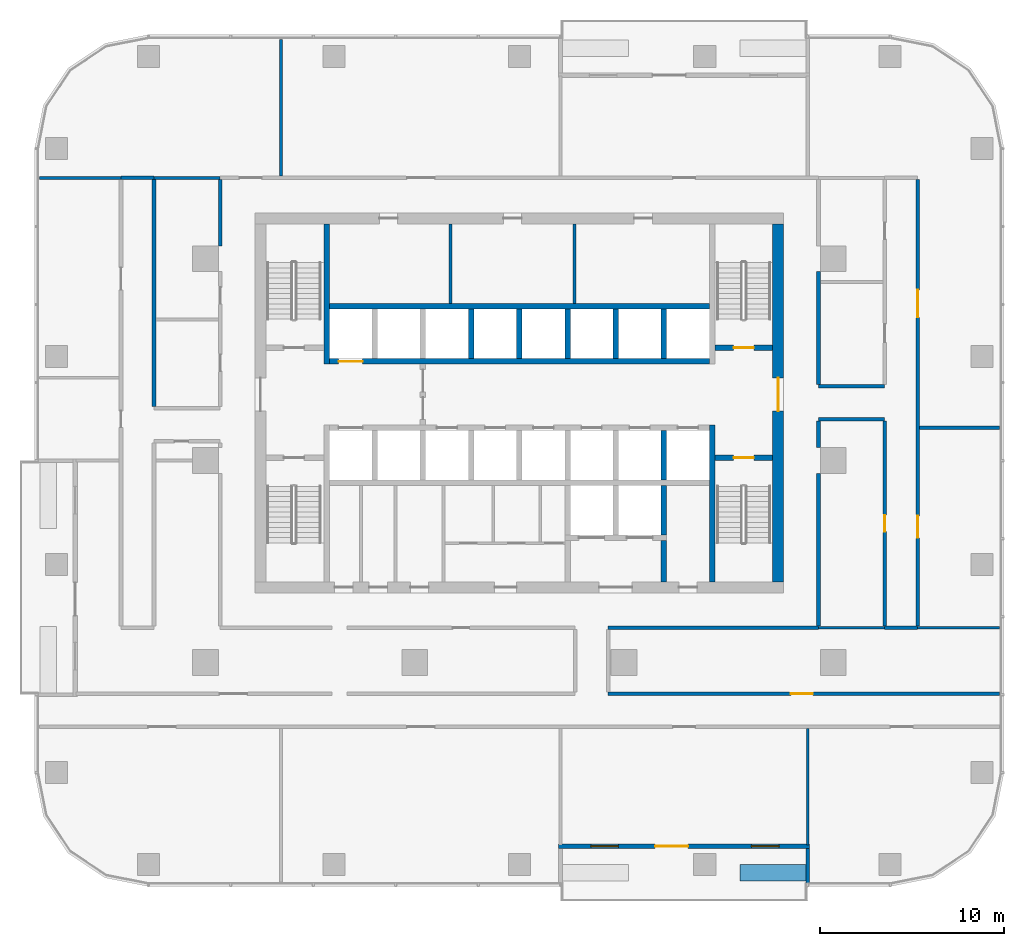
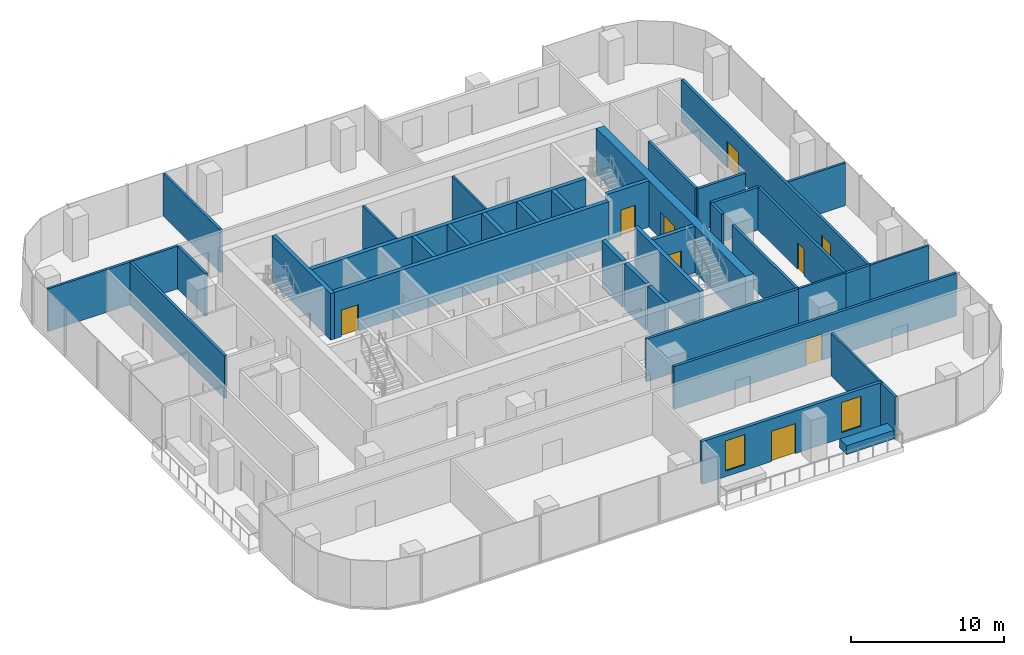
# One storey, part 9 of 14: 40 walls, 9 doors, 2 windows, 11 openings.
"""IFC4 building model written with IfcOpenShell, lengths in metres."""

from ifc_helpers import new_model, si_unit, direction, frame, frame_2d, origin, place, context, subcontext, project, spatial, rectangle, extrude, material, layer, layer_set, type_object, element, fill, save


model = new_model("IFC4")

# Units and contexts
model_context = context("Model", 3, precision=1e-05, world=origin(), true_north=direction((0.0, 1.0)))
body_context = subcontext(model_context, "Body", "Model", "MODEL_VIEW")
ifc_project = project(units=[si_unit("LENGTHUNIT", "METRE"), si_unit("AREAUNIT", "SQUARE_METRE"), si_unit("VOLUMEUNIT", "CUBIC_METRE"), si_unit("PLANEANGLEUNIT", "RADIAN"), si_unit("MASSUNIT", "GRAM", prefix="KILO")], contexts=[model_context])

# Site, building, storey
site_placement = place(None, origin())
site = spatial("IfcSite", under=ifc_project, at=site_placement, CompositionType="ELEMENT")
building_placement = place(site_placement, origin())
building = spatial("IfcBuilding", under=site, at=building_placement, Name="Mopane Tessera Tower", CompositionType="ELEMENT")
storey_placement = place(building_placement, frame((0.0, 0.0, 201.0)))
storey = spatial("IfcBuildingStorey", under=building, at=storey_placement, Name="L42", CompositionType="ELEMENT", Elevation=201.0)

# Walls
ifc_material_1 = material(Name="Fire-rated gypsum board partition")
ifc_layer_1 = layer(ifc_material_1, 0.14990234375)
ifc_layer_set_1 = layer_set([ifc_layer_1], Name="Fire-rated gypsum board partition")
wall_type_1 = type_object("IfcWallType", Name="Core room partition 150 mm", PredefinedType="PARTITIONING", material=ifc_layer_set_1)
for number, where, z_axis, x_axis, name in (
    (1, (-3.75, 8.550048828125, 0.0), (0.0, 0.0, 1.0), (0.0, 1.0, 0.0), "L42 Room partition"),
    (2, (3.0, 8.550048828125, 0.0), (0.0, 0.0, 1.0), (0.0, 1.0, 0.0), "L42 Room partition"),
):
    element("IfcWall", number, at=place(storey_placement, frame(where, z_axis=z_axis, x_axis=x_axis)), inside=storey, type_object=wall_type_1, Name=name, PredefinedType="PARTITIONING", context=body_context, shape_type="SweptSolid", body=[
        extrude(rectangle(XDim=4.349853515625, YDim=0.14990234375, at=frame_2d((2.1748046875, 0.0))), origin(), (0.0, 0.0, 1.0), 3.699951171875),
    ])

# Wall, opening, door
ifc_material_2 = material(Name="Concrete C70/85", Category="concrete")
ifc_layer_2 = layer(ifc_material_2, 0.60009765625)
ifc_layer_set_2 = layer_set([ifc_layer_2], Name="Concrete C70/85")
wall_type_2 = type_object("IfcWallType", Name="Core shear wall 600 mm", PredefinedType="SHEAR", material=ifc_layer_set_2)
wall_1_placement = place(storey_placement, frame((14.10009765625, -6.60009765625, 0.0), z_axis=(0.0, 0.0, 1.0), x_axis=(0.0, 1.0, 0.0)))
wall_1 = element("IfcWall", 3, at=wall_1_placement, inside=storey, type_object=wall_type_2, Name="L42 Core wall east", PredefinedType="SHEAR", context=body_context, shape_type="SweptSolid", body=[
    extrude(rectangle(XDim=19.5, YDim=0.60009765625, at=frame_2d((9.75, 0.0))), origin(), (0.0, 0.0, 1.0), 3.699951171875),
])
opening_1_placement = place(wall_1_placement, frame((9.300048828125, 0.0, 0.0)))
opening_1 = element("IfcOpeningElement", 4, at=opening_1_placement, cuts=wall_1, Name="Opening SD2", PredefinedType="OPENING", context=body_context, shape_type="SweptSolid", body=[
    extrude(rectangle(XDim=1.800048828125, YDim=2.10009765625, at=frame_2d((0.89990234375, 1.050048828125))), frame((0.0, 0.31201171875, 0.0), z_axis=(0.0, -1.0, 0.0), x_axis=(1.0, 0.0, 0.0)), (0.0, 0.0, 1.0), 0.6240234375),
])
ifc_material_3 = material(Name="Steel fire door", Category="steel")
door_type_1 = type_object("IfcDoorType", Name="Core entrance double door 1800 x 2100", OperationType="DOUBLE_DOOR_SINGLE_SWING", PredefinedType="DOOR", material=ifc_material_3)
door_1_placement = place(opening_1_placement, origin())
door_1 = element("IfcDoor", 5, at=door_1_placement, inside=storey, type_object=door_type_1, Name="L42 Core entrance door east", OperationType="DOUBLE_DOOR_SINGLE_SWING", OverallHeight=2.10009765625, OverallWidth=1.800048828125, PredefinedType="DOOR", context=body_context, shape_type="SweptSolid", body=[
    extrude(rectangle(XDim=1.800048828125, YDim=2.10009765625, at=frame_2d((0.89990234375, 1.050048828125))), frame((0.0, 0.02490234375, 0.0), z_axis=(0.0, -1.0, 0.0), x_axis=(1.0, 0.0, 0.0)), (0.0, 0.0, 1.0), 0.050048828125),
])
fill(opening_1, door_1)

# Walls
ifc_material_4 = material(Name="Concrete C60/75", Category="concrete")
ifc_layer_3 = layer(ifc_material_4, 0.300048828125)
ifc_layer_set_3 = layer_set([ifc_layer_3], Name="Concrete C60/75")
wall_type_3 = type_object("IfcWallType", Name="Core spine wall 300 mm", PredefinedType="SHEAR", material=ifc_layer_set_3)
wall_2_placement = place(storey_placement, frame((-10.5, 5.25, 0.0), z_axis=(0.0, 0.0, 1.0), x_axis=(0.0, 1.0, 0.0)))
element("IfcWall", 6, at=wall_2_placement, inside=storey, type_object=wall_type_3, Name="L42 Core spine wall", PredefinedType="SHEAR", context=body_context, shape_type="SweptSolid", body=[
    extrude(rectangle(XDim=7.64990234375, YDim=0.300048828125, at=frame_2d((3.824951171875, 0.0))), origin(), (0.0, 0.0, 1.0), 3.699951171875),
])
wall_3_placement = place(storey_placement, frame((10.5, -6.60009765625, 0.0), z_axis=(0.0, 0.0, 1.0), x_axis=(0.0, 1.0, 0.0)))
element("IfcWall", 7, at=wall_3_placement, inside=storey, type_object=wall_type_3, Name="L42 Core spine wall", PredefinedType="SHEAR", context=body_context, shape_type="SweptSolid", body=[
    extrude(rectangle(XDim=8.550048828125, YDim=0.300048828125, at=frame_2d((4.27490234375, 0.0))), origin(), (0.0, 0.0, 1.0), 3.699951171875),
])
ifc_material_5 = material(Name="Gypsum board on staggered steel studs, double layer each face, acoustic mineral wool infill", Category="steel")
ifc_layer_4 = layer(ifc_material_5, 0.175048828125)
ifc_layer_set_4 = layer_set([ifc_layer_4], Name="Gypsum board on staggered steel studs, double layer each face, acoustic mineral wool infill")
wall_type_4 = type_object("IfcWallType", Name="Gypsum board acoustic partition 175, rated EI 60", PredefinedType="PARTITIONING", material=ifc_layer_set_4)
wall_4_placement = place(storey_placement, frame((21.800048828125, 1.7900390625, 0.0), z_axis=(0.0, 0.0, 1.0), x_axis=(1.0, 0.0, 0.0)))
element("IfcWall", 8, at=wall_4_placement, inside=storey, type_object=wall_type_4, Name="Partition L42:014", PredefinedType="PARTITIONING", context=body_context, shape_type="SweptSolid", body=[
    extrude(rectangle(XDim=4.349853515625, YDim=0.175048828125, at=frame_2d((2.1748046875, 0.0))), origin(), (0.0, 0.0, 1.0), 3.39990234375),
])
wall_5_placement = place(storey_placement, frame((-26.14990234375, 15.39990234375, 0.0), z_axis=(0.0, 0.0, 1.0), x_axis=(1.0, 0.0, 0.0)))
element("IfcWall", 9, at=wall_5_placement, inside=storey, type_object=wall_type_4, Name="Partition L42:021", PredefinedType="PARTITIONING", context=body_context, shape_type="SweptSolid", body=[
    extrude(rectangle(XDim=4.449951171875, YDim=0.175048828125, at=frame_2d((2.22509765625, 0.0))), origin(), (0.0, 0.0, 1.0), 3.39990234375),
])
wall_6_placement = place(storey_placement, frame((-19.89990234375, 15.39990234375, 0.0), z_axis=(0.0, 0.0, 1.0), x_axis=(1.0, 0.0, 0.0)))
element("IfcWall", 10, at=wall_6_placement, inside=storey, type_object=wall_type_4, Name="Partition L42:022", PredefinedType="PARTITIONING", context=body_context, shape_type="SweptSolid", body=[
    extrude(rectangle(XDim=3.599853515625, YDim=0.175048828125, at=frame_2d((1.7998046875, 0.0))), origin(), (0.0, 0.0, 1.0), 3.39990234375),
])
wall_7_placement = place(storey_placement, frame((-12.97509765625, 15.5, 0.0), z_axis=(0.0, 0.0, 1.0), x_axis=(0.0, 1.0, 0.0)))
element("IfcWall", 11, at=wall_7_placement, inside=storey, type_object=wall_type_4, Name="Partition L42:035", PredefinedType="PARTITIONING", context=body_context, shape_type="SweptSolid", body=[
    extrude(rectangle(XDim=7.449951171875, YDim=0.175048828125, at=frame_2d((3.72509765625, 0.0))), origin(), (0.0, 0.0, 1.0), 3.39990234375),
])

# Wall, opening, door
ifc_material_6 = material(Name="Gypsum board on steel studs, two layers each face, mineral wool infill", Category="steel")
ifc_layer_5 = layer(ifc_material_6, 0.199951171875)
ifc_layer_set_5 = layer_set([ifc_layer_5], Name="Gypsum board on steel studs, two layers each face, mineral wool infill")
wall_type_5 = type_object("IfcWallType", Name="Gypsum board corridor wall 200, rated EI 60", PredefinedType="PARTITIONING", material=ifc_layer_set_5)
wall_8_placement = place(storey_placement, frame((4.840087890625, -12.699951171875, 0.0), z_axis=(0.0, 0.0, 1.0), x_axis=(1.0, 0.0, 0.0)))
wall_8 = element("IfcWall", 12, at=wall_8_placement, inside=storey, type_object=wall_type_5, Name="Partition L42:003", PredefinedType="PARTITIONING", context=body_context, shape_type="SweptSolid", body=[
    extrude(rectangle(XDim=21.309814453125, YDim=0.199951171875, at=frame_2d((10.65478515625, 0.0))), origin(), (0.0, 0.0, 1.0), 3.39990234375),
])
opening_2_placement = place(wall_8_placement, frame((9.955078125, 0.0, 0.0)))
opening_2 = element("IfcOpeningElement", 13, at=opening_2_placement, cuts=wall_8, Name="Opening L42-08", PredefinedType="OPENING", context=body_context, shape_type="SweptSolid", body=[
    extrude(rectangle(XDim=1.199951171875, YDim=2.10009765625, at=frame_2d((0.60009765625, 1.050048828125))), frame((0.0, 0.112060546875, 0.0), z_axis=(0.0, -1.0, 0.0), x_axis=(1.0, 0.0, 0.0)), (0.0, 0.0, 1.0), 0.223876953125),
])
ifc_material_7 = material(Name="Timber veneered steel-framed fire door", Category="steel")
door_type_2 = type_object("IfcDoorType", Name="Fire door FD60 1200 x 2100", OperationType="SINGLE_SWING_LEFT", PredefinedType="DOOR", material=ifc_material_7)
door_2_placement = place(opening_2_placement, origin())
door_2 = element("IfcDoor", 14, at=door_2_placement, inside=storey, type_object=door_type_2, Name="Door L42-08", ObjectType="D15A", OperationType="SINGLE_SWING_LEFT", OverallHeight=2.10009765625, OverallWidth=1.199951171875, PredefinedType="DOOR", context=body_context, shape_type="SweptSolid", body=[
    extrude(rectangle(XDim=1.199951171875, YDim=2.10009765625, at=frame_2d((0.60009765625, 1.050048828125))), frame((0.0, 0.02490234375, 0.0), z_axis=(0.0, -1.0, 0.0), x_axis=(1.0, 0.0, 0.0)), (0.0, 0.0, 1.0), 0.050048828125),
])
fill(opening_2, door_2)

# Walls
wall_9_placement = place(storey_placement, frame((4.840087890625, -9.10009765625, 0.0), z_axis=(0.0, 0.0, 1.0), x_axis=(1.0, 0.0, 0.0)))
element("IfcWall", 15, at=wall_9_placement, inside=storey, type_object=wall_type_5, Name="Partition L42:009", PredefinedType="PARTITIONING", context=body_context, shape_type="SweptSolid", body=[
    extrude(rectangle(XDim=11.4599609375, YDim=0.199951171875, at=frame_2d((5.72998046875, 0.0))), origin(), (0.0, 0.0, 1.0), 3.39990234375),
])
wall_10_placement = place(storey_placement, frame((19.89990234375, -9.10009765625, 0.0), z_axis=(0.0, 0.0, 1.0), x_axis=(1.0, 0.0, 0.0)))
element("IfcWall", 16, at=wall_10_placement, inside=storey, type_object=wall_type_5, Name="Partition L42:010", PredefinedType="PARTITIONING", context=body_context, shape_type="SweptSolid", body=[
    extrude(rectangle(XDim=1.800048828125, YDim=0.199951171875, at=frame_2d((0.89990234375, 0.0))), origin(), (0.0, 0.0, 1.0), 3.39990234375),
])
for number, where, z_axis, x_axis, name in (
    (17, (16.300048828125, 2.25, 0.0), (0.0, 0.0, 1.0), (1.0, 0.0, 0.0), "Partition L42:015"),
    (18, (16.300048828125, 4.050048828125, 0.0), (0.0, 0.0, 1.0), (1.0, 0.0, 0.0), "Partition L42:017"),
):
    element("IfcWall", number, at=place(storey_placement, frame(where, z_axis=z_axis, x_axis=x_axis)), inside=storey, type_object=wall_type_5, Name=name, PredefinedType="PARTITIONING", context=body_context, shape_type="SweptSolid", body=[
        extrude(rectangle(XDim=3.599853515625, YDim=0.199951171875, at=frame_2d((1.7998046875, 0.0))), origin(), (0.0, 0.0, 1.0), 3.39990234375),
    ])
wall_11_placement = place(storey_placement, frame((-21.699951171875, 15.39990234375, 0.0), z_axis=(0.0, 0.0, 1.0), x_axis=(1.0, 0.0, 0.0)))
element("IfcWall", 19, at=wall_11_placement, inside=storey, type_object=wall_type_5, Name="Partition L42:024", PredefinedType="PARTITIONING", context=body_context, shape_type="SweptSolid", body=[
    extrude(rectangle(XDim=1.800048828125, YDim=0.199951171875, at=frame_2d((0.89990234375, 0.0))), origin(), (0.0, 0.0, 1.0), 3.39990234375),
])
wall_12_placement = place(storey_placement, frame((-19.89990234375, 2.949951171875, 0.0), z_axis=(0.0, 0.0, 1.0), x_axis=(0.0, 1.0, 0.0)))
element("IfcWall", 20, at=wall_12_placement, inside=storey, type_object=wall_type_5, Name="Partition L42:029", PredefinedType="PARTITIONING", context=body_context, shape_type="SweptSolid", body=[
    extrude(rectangle(XDim=12.35009765625, YDim=0.199951171875, at=frame_2d((6.175048828125, 0.0))), origin(), (0.0, 0.0, 1.0), 3.39990234375),
])
wall_13_placement = place(storey_placement, frame((-16.300048828125, 11.699951171875, 0.0), z_axis=(0.0, 0.0, 1.0), x_axis=(0.0, 1.0, 0.0)))
element("IfcWall", 21, at=wall_13_placement, inside=storey, type_object=wall_type_5, Name="Partition L42:033", PredefinedType="PARTITIONING", context=body_context, shape_type="SweptSolid", body=[
    extrude(rectangle(XDim=3.60009765625, YDim=0.199951171875, at=frame_2d((1.800048828125, 0.0))), origin(), (0.0, 0.0, 1.0), 3.39990234375),
])
wall_14_placement = place(storey_placement, frame((16.300048828125, -9.0, 0.0), z_axis=(0.0, 0.0, 1.0), x_axis=(0.0, 1.0, 0.0)))
element("IfcWall", 22, at=wall_14_placement, inside=storey, type_object=wall_type_5, Name="Partition L42:042", PredefinedType="PARTITIONING", context=body_context, shape_type="SweptSolid", body=[
    extrude(rectangle(XDim=8.300048828125, YDim=0.199951171875, at=frame_2d((4.14990234375, 0.0))), origin(), (0.0, 0.0, 1.0), 3.39990234375),
])
wall_15_placement = place(storey_placement, frame((16.300048828125, 0.699951171875, 0.0), z_axis=(0.0, 0.0, 1.0), x_axis=(0.0, 1.0, 0.0)))
element("IfcWall", 23, at=wall_15_placement, inside=storey, type_object=wall_type_5, Name="Partition L42:043", PredefinedType="PARTITIONING", context=body_context, shape_type="SweptSolid", body=[
    extrude(rectangle(XDim=1.449951171875, YDim=0.199951171875, at=frame_2d((0.72509765625, 0.0))), origin(), (0.0, 0.0, 1.0), 3.39990234375),
])
wall_16_placement = place(storey_placement, frame((16.300048828125, 4.14990234375, 0.0), z_axis=(0.0, 0.0, 1.0), x_axis=(0.0, 1.0, 0.0)))
element("IfcWall", 24, at=wall_16_placement, inside=storey, type_object=wall_type_5, Name="Partition L42:044", PredefinedType="PARTITIONING", context=body_context, shape_type="SweptSolid", body=[
    extrude(rectangle(XDim=6.150146484375, YDim=0.199951171875, at=frame_2d((3.0751953125, 0.0))), origin(), (0.0, 0.0, 1.0), 3.39990234375),
])

# Wall, opening, door
wall_17_placement = place(storey_placement, frame((19.89990234375, -9.0, 0.0), z_axis=(0.0, 0.0, 1.0), x_axis=(0.0, 1.0, 0.0)))
wall_17 = element("IfcWall", 25, at=wall_17_placement, inside=storey, type_object=wall_type_5, Name="Partition L42:046", PredefinedType="PARTITIONING", context=body_context, shape_type="SweptSolid", body=[
    extrude(rectangle(XDim=11.14990234375, YDim=0.199951171875, at=frame_2d((5.574951171875, 0.0))), origin(), (0.0, 0.0, 1.0), 3.39990234375),
])
opening_3_placement = place(wall_17_placement, frame((5.125, 0.0, 0.0)))
opening_3 = element("IfcOpeningElement", 26, at=opening_3_placement, cuts=wall_17, Name="Opening L42-06", PredefinedType="OPENING", context=body_context, shape_type="SweptSolid", body=[
    extrude(rectangle(XDim=0.89990234375, YDim=2.10009765625, at=frame_2d((0.449951171875, 1.050048828125))), frame((0.0, 0.112060546875, 0.0), z_axis=(0.0, -1.0, 0.0), x_axis=(1.0, 0.0, 0.0)), (0.0, 0.0, 1.0), 0.223876953125),
])
ifc_material_8 = material(Name="Timber veneered steel-framed fire door", Category="steel")
door_type_3 = type_object("IfcDoorType", Name="Fire door FD60 900 x 2100", OperationType="SINGLE_SWING_LEFT", PredefinedType="DOOR", material=ifc_material_8)
door_3_placement = place(opening_3_placement, origin())
door_3 = element("IfcDoor", 27, at=door_3_placement, inside=storey, type_object=door_type_3, Name="Door L42-06", ObjectType="D10A", OperationType="SINGLE_SWING_LEFT", OverallHeight=2.10009765625, OverallWidth=0.89990234375, PredefinedType="DOOR", context=body_context, shape_type="SweptSolid", body=[
    extrude(rectangle(XDim=0.89990234375, YDim=2.10009765625, at=frame_2d((0.449951171875, 1.050048828125))), frame((0.0, 0.02490234375, 0.0), z_axis=(0.0, -1.0, 0.0), x_axis=(1.0, 0.0, 0.0)), (0.0, 0.0, 1.0), 0.050048828125),
])
fill(opening_3, door_3)

# Wall, openings, doors
wall_18_placement = place(storey_placement, frame((21.699951171875, -9.0, 0.0), z_axis=(0.0, 0.0, 1.0), x_axis=(0.0, 1.0, 0.0)))
wall_18 = element("IfcWall", 28, at=wall_18_placement, inside=storey, type_object=wall_type_5, Name="Partition L42:048", PredefinedType="PARTITIONING", context=body_context, shape_type="SweptSolid", body=[
    extrude(rectangle(XDim=24.300048828125, YDim=0.199951171875, at=frame_2d((12.14990234375, 0.0))), origin(), (0.0, 0.0, 1.0), 3.39990234375),
])
opening_4_placement = place(wall_18_placement, frame((4.794921875, 0.0, 0.0)))
opening_4 = element("IfcOpeningElement", 29, at=opening_4_placement, cuts=wall_18, Name="Opening L42-14", PredefinedType="OPENING", context=body_context, shape_type="SweptSolid", body=[
    extrude(rectangle(XDim=1.199951171875, YDim=2.10009765625, at=frame_2d((0.60009765625, 1.050048828125))), frame((0.0, 0.112060546875, 0.0), z_axis=(0.0, -1.0, 0.0), x_axis=(1.0, 0.0, 0.0)), (0.0, 0.0, 1.0), 0.223876953125),
])
opening_5_placement = place(wall_18_placement, frame((16.794921875, 0.0, 0.0)))
opening_5 = element("IfcOpeningElement", 30, at=opening_5_placement, cuts=wall_18, Name="Opening L42-17", PredefinedType="OPENING", context=body_context, shape_type="SweptSolid", body=[
    extrude(rectangle(XDim=1.5, YDim=2.10009765625, at=frame_2d((0.75, 1.050048828125))), frame((0.0, 0.112060546875, 0.0), z_axis=(0.0, -1.0, 0.0), x_axis=(1.0, 0.0, 0.0)), (0.0, 0.0, 1.0), 0.223876953125),
])
door_4_placement = place(opening_4_placement, origin())
door_4 = element("IfcDoor", 31, at=door_4_placement, inside=storey, type_object=door_type_2, Name="Door L42-14", ObjectType="D15A", OperationType="SINGLE_SWING_RIGHT", OverallHeight=2.10009765625, OverallWidth=1.199951171875, PredefinedType="DOOR", context=body_context, shape_type="SweptSolid", body=[
    extrude(rectangle(XDim=1.199951171875, YDim=2.10009765625, at=frame_2d((0.60009765625, 1.050048828125))), frame((0.0, 0.02490234375, 0.0), z_axis=(0.0, -1.0, 0.0), x_axis=(1.0, 0.0, 0.0)), (0.0, 0.0, 1.0), 0.050048828125),
])
fill(opening_4, door_4)
ifc_material_9 = material(Name="Timber veneered steel-framed fire door", Category="steel")
door_type_4 = type_object("IfcDoorType", Name="Fire door pair FD60 1500 x 2100", OperationType="DOUBLE_DOOR_SINGLE_SWING", PredefinedType="DOOR", material=ifc_material_9)
door_5_placement = place(opening_5_placement, origin())
door_5 = element("IfcDoor", 32, at=door_5_placement, inside=storey, type_object=door_type_4, Name="Door L42-17", ObjectType="D17A", OperationType="DOUBLE_DOOR_SINGLE_SWING", OverallHeight=2.10009765625, OverallWidth=1.5, PredefinedType="DOOR", context=body_context, shape_type="SweptSolid", body=[
    extrude(rectangle(XDim=1.5, YDim=2.10009765625, at=frame_2d((0.75, 1.050048828125))), frame((0.0, 0.02490234375, 0.0), z_axis=(0.0, -1.0, 0.0), x_axis=(1.0, 0.0, 0.0)), (0.0, 0.0, 1.0), 0.050048828125),
])
fill(opening_5, door_5)

# Walls
ifc_material_10 = material(Name="Gypsum board on steel studs, mineral wool infill", Category="steel")
ifc_layer_6 = layer(ifc_material_10, 0.14990234375)
ifc_layer_set_6 = layer_set([ifc_layer_6], Name="Gypsum board on steel studs, mineral wool infill")
wall_type_6 = type_object("IfcWallType", Name="Gypsum board partition 150, rated EI 60", PredefinedType="PARTITIONING", material=ifc_layer_set_6)
wall_19_placement = place(storey_placement, frame((16.300048828125, -9.10009765625, 0.0), z_axis=(0.0, 0.0, 1.0), x_axis=(1.0, 0.0, 0.0)))
element("IfcWall", 33, at=wall_19_placement, inside=storey, type_object=wall_type_6, Name="Partition L42:004", PredefinedType="PARTITIONING", context=body_context, shape_type="SweptSolid", body=[
    extrude(rectangle(XDim=3.599853515625, YDim=0.14990234375, at=frame_2d((1.7998046875, 0.0))), origin(), (0.0, 0.0, 1.0), 3.39990234375),
])
wall_20_placement = place(storey_placement, frame((21.699951171875, -9.10009765625, 0.0), z_axis=(0.0, 0.0, 1.0), x_axis=(1.0, 0.0, 0.0)))
element("IfcWall", 34, at=wall_20_placement, inside=storey, type_object=wall_type_6, Name="Partition L42:005", PredefinedType="PARTITIONING", context=body_context, shape_type="SweptSolid", body=[
    extrude(rectangle(XDim=4.449951171875, YDim=0.14990234375, at=frame_2d((2.22509765625, 0.0))), origin(), (0.0, 0.0, 1.0), 3.39990234375),
])
wall_21_placement = place(storey_placement, frame((15.7099609375, -20.949951171875, 0.0), z_axis=(0.0, 0.0, 1.0), x_axis=(0.0, 1.0, 0.0)))
element("IfcWall", 35, at=wall_21_placement, inside=storey, type_object=wall_type_6, Name="Partition L42:040", PredefinedType="PARTITIONING", context=body_context, shape_type="SweptSolid", body=[
    extrude(rectangle(XDim=6.349853515625, YDim=0.14990234375, at=frame_2d((3.1748046875, 0.0))), origin(), (0.0, 0.0, 1.0), 3.39990234375),
])

# Wall, opening, door
ifc_material_11 = material(Name="Concrete C50/60", Category="concrete")
ifc_layer_7 = layer(ifc_material_11, 0.300048828125)
ifc_layer_set_7 = layer_set([ifc_layer_7], Name="Concrete C50/60")
wall_type_7 = type_object("IfcWallType", Name="Lift and stair shaft wall 300 mm", PredefinedType="SOLIDWALL", material=ifc_layer_set_7)
wall_22_placement = place(storey_placement, frame((10.64990234375, 0.14990234375, 0.0), z_axis=(0.0, 0.0, 1.0), x_axis=(1.0, 0.0, 0.0)))
wall_22 = element("IfcWall", 36, at=wall_22_placement, inside=storey, type_object=wall_type_7, Name="L42 Stair enclosure wall", PredefinedType="SOLIDWALL", context=body_context, shape_type="SweptSolid", body=[
    extrude(rectangle(XDim=3.150146484375, YDim=0.300048828125, at=frame_2d((1.5751953125, 0.0))), origin(), (0.0, 0.0, 1.0), 3.699951171875),
])
opening_6_placement = place(wall_22_placement, frame((1.02490234375, 0.0, 0.0)))
opening_6 = element("IfcOpeningElement", 37, at=opening_6_placement, cuts=wall_22, Name="Opening SD1", PredefinedType="OPENING", context=body_context, shape_type="SweptSolid", body=[
    extrude(rectangle(XDim=1.10009765625, YDim=2.10009765625, at=frame_2d((0.550048828125, 1.050048828125))), frame((0.0, 0.162109375, 0.0), z_axis=(0.0, -1.0, 0.0), x_axis=(1.0, 0.0, 0.0)), (0.0, 0.0, 1.0), 0.323974609375),
])
ifc_material_12 = material(Name="Steel fire door", Category="steel")
door_type_5 = type_object("IfcDoorType", Name="Stair fire door 1100 x 2100", OperationType="SINGLE_SWING_LEFT", PredefinedType="DOOR", material=ifc_material_12)
door_6_placement = place(opening_6_placement, origin())
door_6 = element("IfcDoor", 38, at=door_6_placement, inside=storey, type_object=door_type_5, Name="L42 Stair door ST3", OperationType="SINGLE_SWING_RIGHT", OverallHeight=2.10009765625, OverallWidth=1.10009765625, PredefinedType="DOOR", context=body_context, shape_type="SweptSolid", body=[
    extrude(rectangle(XDim=1.10009765625, YDim=2.10009765625, at=frame_2d((0.550048828125, 1.050048828125))), frame((0.0, 0.02490234375, 0.0), z_axis=(0.0, -1.0, 0.0), x_axis=(1.0, 0.0, 0.0)), (0.0, 0.0, 1.0), 0.050048828125),
])
fill(opening_6, door_6)

wall_23_placement = place(storey_placement, frame((10.64990234375, 6.14990234375, 0.0), z_axis=(0.0, 0.0, 1.0), x_axis=(1.0, 0.0, 0.0)))
wall_23 = element("IfcWall", 39, at=wall_23_placement, inside=storey, type_object=wall_type_7, Name="L42 Stair enclosure wall", PredefinedType="SOLIDWALL", context=body_context, shape_type="SweptSolid", body=[
    extrude(rectangle(XDim=3.150146484375, YDim=0.300048828125, at=frame_2d((1.5751953125, 0.0))), origin(), (0.0, 0.0, 1.0), 3.699951171875),
])
opening_7_placement = place(wall_23_placement, frame((1.02490234375, 0.0, 0.0)))
opening_7 = element("IfcOpeningElement", 40, at=opening_7_placement, cuts=wall_23, Name="Opening SD1", PredefinedType="OPENING", context=body_context, shape_type="SweptSolid", body=[
    extrude(rectangle(XDim=1.10009765625, YDim=2.10009765625, at=frame_2d((0.550048828125, 1.050048828125))), frame((0.0, 0.162109375, 0.0), z_axis=(0.0, -1.0, 0.0), x_axis=(1.0, 0.0, 0.0)), (0.0, 0.0, 1.0), 0.323974609375),
])
door_7_placement = place(opening_7_placement, origin())
door_7 = element("IfcDoor", 41, at=door_7_placement, inside=storey, type_object=door_type_5, Name="L42 Stair door ST4", OperationType="SINGLE_SWING_RIGHT", OverallHeight=2.10009765625, OverallWidth=1.10009765625, PredefinedType="DOOR", context=body_context, shape_type="SweptSolid", body=[
    extrude(rectangle(XDim=1.10009765625, YDim=2.10009765625, at=frame_2d((0.550048828125, 1.050048828125))), frame((0.0, 0.02490234375, 0.0), z_axis=(0.0, -1.0, 0.0), x_axis=(1.0, 0.0, 0.0)), (0.0, 0.0, 1.0), 0.050048828125),
])
fill(opening_7, door_7)

wall_24_placement = place(storey_placement, frame((-10.35009765625, 5.39990234375, 0.0), z_axis=(0.0, 0.0, 1.0), x_axis=(1.0, 0.0, 0.0)))
wall_24 = element("IfcWall", 42, at=wall_24_placement, inside=storey, type_object=wall_type_7, Name="L42 Lift shaft front wall", PredefinedType="SOLIDWALL", context=body_context, shape_type="SweptSolid", body=[
    extrude(rectangle(XDim=20.7001953125, YDim=0.300048828125, at=frame_2d((10.35009765625, 0.0))), origin(), (0.0, 0.0, 1.0), 3.699951171875),
])
opening_8_placement = place(wall_24_placement, frame((0.512451171875, 0.0, 0.0)))
opening_8 = element("IfcOpeningElement", 43, at=opening_8_placement, cuts=wall_24, Name="Opening LD2", PredefinedType="OPENING", context=body_context, shape_type="SweptSolid", body=[
    extrude(rectangle(XDim=1.300048828125, YDim=2.10009765625, at=frame_2d((0.64990234375, 1.050048828125))), frame((0.0, 0.162109375, 0.0), z_axis=(0.0, -1.0, 0.0), x_axis=(1.0, 0.0, 0.0)), (0.0, 0.0, 1.0), 0.323974609375),
])
ifc_material_13 = material(Name="Stainless steel sliding door", Category="steel")
door_type_6 = type_object("IfcDoorType", Name="Fire-fighting lift landing door 1300 x 2100", OperationType="DOUBLE_DOOR_SLIDING", PredefinedType="DOOR", material=ifc_material_13)
door_8_placement = place(opening_8_placement, origin())
door_8 = element("IfcDoor", 44, at=door_8_placement, inside=storey, type_object=door_type_6, Name="L42 Lift landing door FF2", OperationType="DOUBLE_DOOR_SLIDING", OverallHeight=2.10009765625, OverallWidth=1.300048828125, PredefinedType="DOOR", context=body_context, shape_type="SweptSolid", body=[
    extrude(rectangle(XDim=1.300048828125, YDim=2.10009765625, at=frame_2d((0.64990234375, 1.050048828125))), frame((0.0, 0.02490234375, 0.0), z_axis=(0.0, -1.0, 0.0), x_axis=(1.0, 0.0, 0.0)), (0.0, 0.0, 1.0), 0.050048828125),
])
fill(opening_8, door_8)

# Walls
wall_25_placement = place(storey_placement, frame((-10.35009765625, 8.39990234375, 0.0), z_axis=(0.0, 0.0, 1.0), x_axis=(1.0, 0.0, 0.0)))
element("IfcWall", 45, at=wall_25_placement, inside=storey, type_object=wall_type_7, Name="L42 Lift shaft rear wall", PredefinedType="SOLIDWALL", context=body_context, shape_type="SweptSolid", body=[
    extrude(rectangle(XDim=20.7001953125, YDim=0.300048828125, at=frame_2d((10.35009765625, 0.0))), origin(), (0.0, 0.0, 1.0), 3.699951171875),
])
for number, where, z_axis, x_axis, name in (
    (46, (7.875, -1.050048828125, 0.0), (0.0, 0.0, 1.0), (0.0, 1.0, 0.0), "L42 Lift shaft wall"),
    (47, (-2.625, 5.550048828125, 0.0), (0.0, 0.0, 1.0), (0.0, 1.0, 0.0), "L42 Lift shaft wall"),
    (48, (0.0, 5.550048828125, 0.0), (0.0, 0.0, 1.0), (0.0, 1.0, 0.0), "L42 Lift shaft wall"),
    (49, (2.625, 5.550048828125, 0.0), (0.0, 0.0, 1.0), (0.0, 1.0, 0.0), "L42 Lift shaft wall"),
    (50, (5.25, 5.550048828125, 0.0), (0.0, 0.0, 1.0), (0.0, 1.0, 0.0), "L42 Lift shaft wall"),
    (51, (7.875, 5.550048828125, 0.0), (0.0, 0.0, 1.0), (0.0, 1.0, 0.0), "L42 Lift shaft wall"),
    (52, (7.875, -4.050048828125, 0.0), (0.0, 0.0, 1.0), (0.0, 1.0, 0.0), "L42 Lift shaft wall"),
):
    element("IfcWall", number, at=place(storey_placement, frame(where, z_axis=z_axis, x_axis=x_axis)), inside=storey, type_object=wall_type_7, Name=name, PredefinedType="SOLIDWALL", context=body_context, shape_type="SweptSolid", body=[
        extrude(rectangle(XDim=2.699951171875, YDim=0.300048828125, at=frame_2d((1.35009765625, 0.0))), origin(), (0.0, 0.0, 1.0), 3.699951171875),
    ])
ifc_material_14 = material(Name="Concrete C50/60", Category="concrete")
ifc_layer_8 = layer(ifc_material_14, 0.300048828125)
ifc_layer_set_8 = layer_set([ifc_layer_8], Name="Concrete C50/60")
wall_type_8 = type_object("IfcWallType", Name="Lobby and refuge room wall 300 mm", PredefinedType="SOLIDWALL", material=ifc_layer_set_8)
wall_26_placement = place(storey_placement, frame((7.875, -6.60009765625, 0.0), z_axis=(0.0, 0.0, 1.0), x_axis=(0.0, 1.0, 0.0)))
element("IfcWall", 53, at=wall_26_placement, inside=storey, type_object=wall_type_8, Name="L42 Service lobby wall", PredefinedType="SOLIDWALL", context=body_context, shape_type="SweptSolid", body=[
    extrude(rectangle(XDim=2.25, YDim=0.300048828125, at=frame_2d((1.125, 0.0))), origin(), (0.0, 0.0, 1.0), 3.699951171875),
])
ifc_material_15 = material(Name="Reinforced concrete C32/40 with waterproofing", Category="concrete")
ifc_layer_9 = layer(ifc_material_15, 0.89990234375)
ifc_layer_set_9 = layer_set([ifc_layer_9], Name="Reinforced concrete C32/40 with waterproofing")
wall_type_9 = type_object("IfcWallType", Name="Planter trough 3600 x 900", PredefinedType="STANDARD", material=ifc_layer_set_9)
wall_27_placement = place(storey_placement, frame((12.01123046875, -22.449951171875, 0.0), z_axis=(0.0, 0.0, 1.0), x_axis=(1.0, 0.0, 0.0)))
element("IfcWall", 54, at=wall_27_placement, inside=storey, type_object=wall_type_9, Name="e:nw:L42:N2:pl1", PredefinedType="STANDARD", context=body_context, shape_type="SweptSolid", body=[
    extrude(rectangle(XDim=3.599853515625, YDim=0.89990234375, at=frame_2d((1.7998046875, 0.0))), origin(), (0.0, 0.0, 1.0), 0.699951171875),
])
ifc_material_16 = material(Name="Blockwork with glazed tile facing", Category="masonry")
ifc_layer_10 = layer(ifc_material_16, 0.199951171875)
ifc_layer_set_10 = layer_set([ifc_layer_10], Name="Blockwork with glazed tile facing")
wall_type_10 = type_object("IfcWallType", Name="Terrace cheek wall 200", PredefinedType="STANDARD", material=ifc_layer_set_10)
wall_28_placement = place(storey_placement, frame((15.711181640625, -23.0, 0.0), z_axis=(0.0, 0.0, 1.0), x_axis=(0.0, 1.0, 0.0)))
element("IfcWall", 55, at=wall_28_placement, inside=storey, type_object=wall_type_10, Name="e:nw:L42:N2:cheekb", PredefinedType="STANDARD", context=body_context, shape_type="SweptSolid", body=[
    extrude(rectangle(XDim=1.875, YDim=0.199951171875, at=frame_2d((0.9375, 0.0))), origin(), (0.0, 0.0, 1.0), 3.39990234375),
])

# Wall, openings, windows, door
ifc_material_17 = material(Name="Blockwork with turquoise glazed tile facing", Category="masonry")
ifc_layer_11 = layer(ifc_material_17, 0.25)
ifc_layer_set_11 = layer_set([ifc_layer_11], Name="Blockwork with turquoise glazed tile facing")
wall_type_11 = type_object("IfcWallType", Name="Tile-clad external wall 250, turquoise", PredefinedType="STANDARD", material=ifc_layer_set_11)
wall_29_placement = place(storey_placement, frame((2.14453125, -21.0, 0.0), z_axis=(0.0, 0.0, 1.0), x_axis=(1.0, 0.0, 0.0)))
wall_29 = element("IfcWall", 56, at=wall_29_placement, inside=storey, type_object=wall_type_11, Name="e:nw:L42:N2:back", PredefinedType="STANDARD", context=body_context, shape_type="SweptSolid", body=[
    extrude(rectangle(XDim=13.66650390625, YDim=0.25, at=frame_2d((6.833251953125, 0.0))), origin(), (0.0, 0.0, 1.0), 3.39990234375),
])
opening_9_placement = place(wall_29_placement, frame((1.75, 0.0, 0.449951171875)))
opening_9 = element("IfcOpeningElement", 57, at=opening_9_placement, cuts=wall_29, Name="Opening NW422A", PredefinedType="OPENING", context=body_context, shape_type="SweptSolid", body=[
    extrude(rectangle(XDim=1.5, YDim=2.39990234375, at=frame_2d((0.75, 1.199951171875))), frame((0.0, 0.136962890625, 0.0), z_axis=(0.0, -1.0, 0.0), x_axis=(1.0, 0.0, 0.0)), (0.0, 0.0, 1.0), 0.27392578125),
])
opening_10_placement = place(wall_29_placement, frame((5.25, 0.0, 0.0)))
opening_10 = element("IfcOpeningElement", 58, at=opening_10_placement, cuts=wall_29, Name="Opening ND422", PredefinedType="OPENING", context=body_context, shape_type="SweptSolid", body=[
    extrude(rectangle(XDim=1.800048828125, YDim=2.39990234375, at=frame_2d((0.89990234375, 1.199951171875))), frame((0.0, 0.136962890625, 0.0), z_axis=(0.0, -1.0, 0.0), x_axis=(1.0, 0.0, 0.0)), (0.0, 0.0, 1.0), 0.27392578125),
])
opening_11_placement = place(wall_29_placement, frame((10.5, 0.0, 0.449951171875)))
opening_11 = element("IfcOpeningElement", 59, at=opening_11_placement, cuts=wall_29, Name="Opening NW422B", PredefinedType="OPENING", context=body_context, shape_type="SweptSolid", body=[
    extrude(rectangle(XDim=1.5, YDim=2.39990234375, at=frame_2d((0.75, 1.199951171875))), frame((0.0, 0.136962890625, 0.0), z_axis=(0.0, -1.0, 0.0), x_axis=(1.0, 0.0, 0.0)), (0.0, 0.0, 1.0), 0.27392578125),
])
ifc_material_18 = material(Name="Clear laminated glass", Category="glass")
window_type = type_object("IfcWindowType", Name="Fixed window 1500 x 2400", PartitioningType="SINGLE_PANEL", PredefinedType="WINDOW", material=ifc_material_18)
window_1_placement = place(opening_9_placement, origin())
window_1 = element("IfcWindow", 60, at=window_1_placement, inside=storey, type_object=window_type, Name="e:nw:L42:N2:win0", OverallHeight=2.39990234375, OverallWidth=1.5, PartitioningType="SINGLE_PANEL", PredefinedType="WINDOW", context=body_context, shape_type="SweptSolid", body=[
    extrude(rectangle(XDim=1.5, YDim=2.39990234375, at=frame_2d((0.75, 1.199951171875))), frame((0.0, 0.030029296875, 0.0), z_axis=(0.0, -1.0, 0.0), x_axis=(1.0, 0.0, 0.0)), (0.0, 0.0, 1.0), 0.06005859375),
])
fill(opening_9, window_1)
window_2_placement = place(opening_11_placement, origin())
window_2 = element("IfcWindow", 61, at=window_2_placement, inside=storey, type_object=window_type, Name="e:nw:L42:N2:win2", OverallHeight=2.39990234375, OverallWidth=1.5, PartitioningType="SINGLE_PANEL", PredefinedType="WINDOW", context=body_context, shape_type="SweptSolid", body=[
    extrude(rectangle(XDim=1.5, YDim=2.39990234375, at=frame_2d((0.75, 1.199951171875))), frame((0.0, 0.030029296875, 0.0), z_axis=(0.0, -1.0, 0.0), x_axis=(1.0, 0.0, 0.0)), (0.0, 0.0, 1.0), 0.06005859375),
])
fill(opening_11, window_2)
ifc_material_19 = material(Name="Aluminium and clear glass", Category="aluminium")
door_type_7 = type_object("IfcDoorType", Name="Terrace double door 1800 x 2400", OperationType="DOUBLE_DOOR_SINGLE_SWING", PredefinedType="DOOR", material=ifc_material_19)
door_9_placement = place(opening_10_placement, origin())
door_9 = element("IfcDoor", 62, at=door_9_placement, inside=storey, type_object=door_type_7, Name="e:nw:L42:N2:door", ObjectType="D1", OperationType="DOUBLE_DOOR_SINGLE_SWING", OverallHeight=2.39990234375, OverallWidth=1.800048828125, PredefinedType="DOOR", context=body_context, shape_type="SweptSolid", body=[
    extrude(rectangle(XDim=1.800048828125, YDim=2.39990234375, at=frame_2d((0.89990234375, 1.199951171875))), frame((0.0, 0.02490234375, 0.0), z_axis=(0.0, -1.0, 0.0), x_axis=(1.0, 0.0, 0.0)), (0.0, 0.0, 1.0), 0.050048828125),
])
fill(opening_10, door_9)

save(model, "model.ifc")
